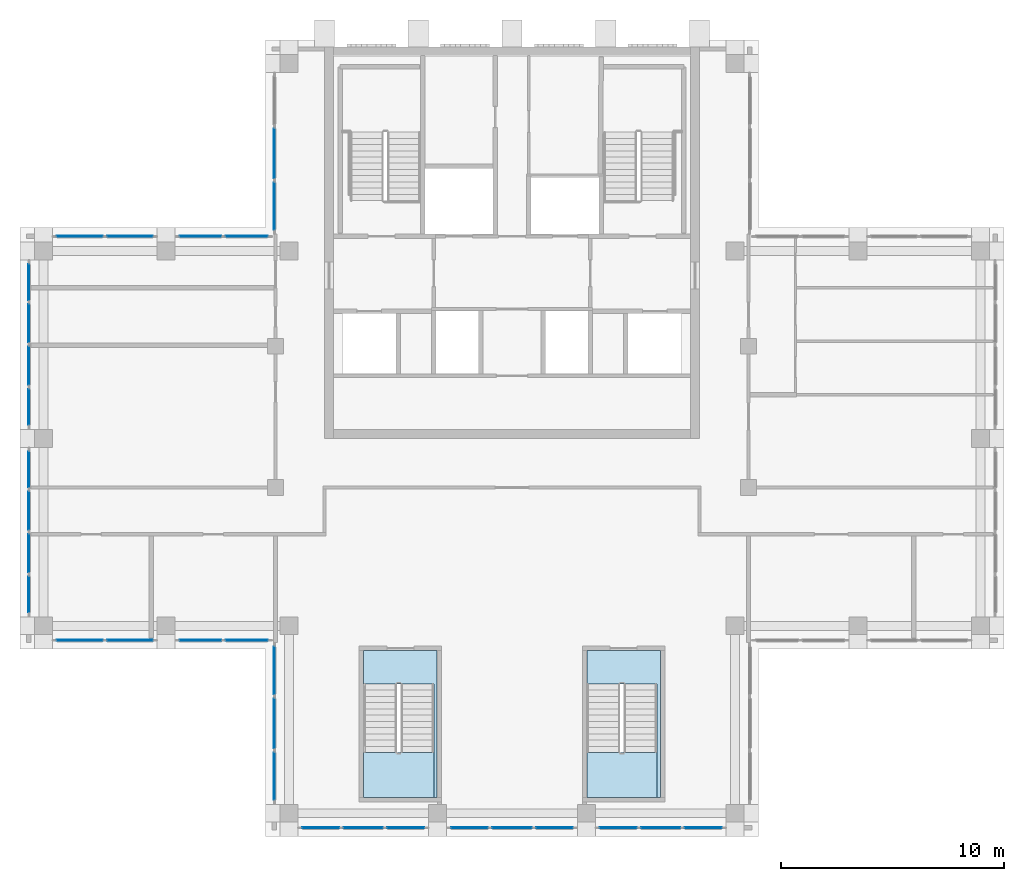
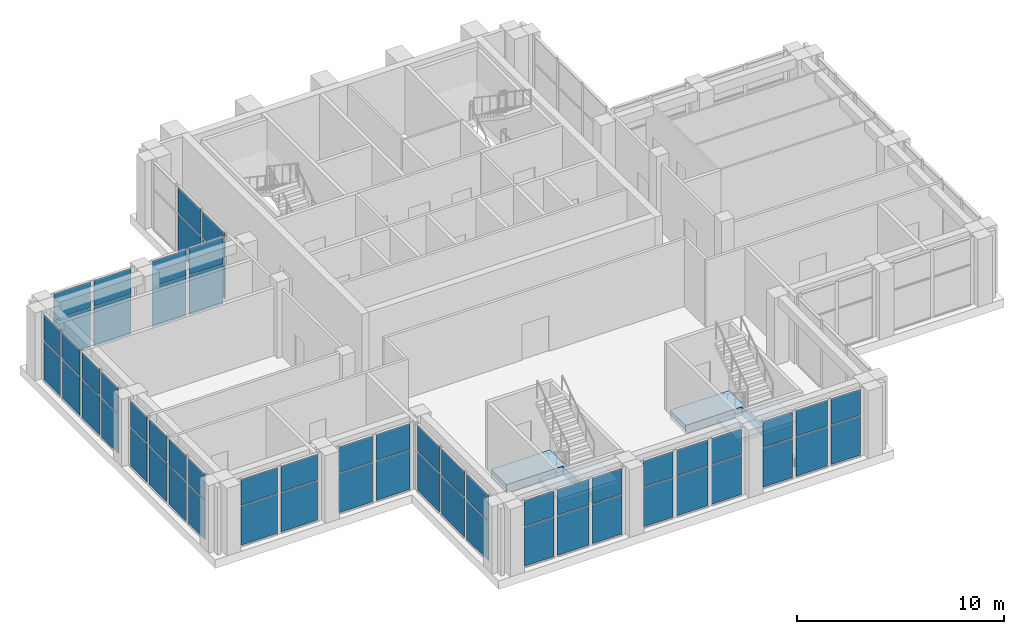
# One storey, part 7 of 14: 60 plates, 4 slabs, 13 elements without a shape of their own.
"""IFC4 building model written with IfcOpenShell, lengths in metres."""

from ifc_helpers import new_model, si_unit, direction, frame, origin, origin_2d, place, context, subcontext, project, spatial, polyline, rectangle, outline, extrude, material, layer, layer_set, type_object, element, aggregate, save


model = new_model("IFC4")

# Units and contexts
model_context = context("Model", 3, precision=1e-05, world=origin(), true_north=direction((0.0, 1.0)))
body_context = subcontext(model_context, "Body", "Model", "MODEL_VIEW")
ifc_project = project(units=[si_unit("LENGTHUNIT", "METRE"), si_unit("AREAUNIT", "SQUARE_METRE"), si_unit("VOLUMEUNIT", "CUBIC_METRE"), si_unit("PLANEANGLEUNIT", "RADIAN"), si_unit("MASSUNIT", "GRAM", prefix="KILO")], contexts=[model_context])

# Site, building, storey
site_placement = place(None, origin())
site = spatial("IfcSite", under=ifc_project, at=site_placement, CompositionType="ELEMENT")
building_placement = place(site_placement, origin())
building = spatial("IfcBuilding", under=site, at=building_placement, Name="Vermilion Ogive Tower", CompositionType="ELEMENT")
storey_placement = place(building_placement, frame((0.0, 0.0, 273.85009765625)))
storey = spatial("IfcBuildingStorey", under=building, at=storey_placement, Name="L72", CompositionType="ELEMENT", Elevation=273.85009765625)

# Curtain wall, plates
ifc_material_1 = material(Name="Laminated solar-control glazing in aluminium frame", Category="aluminium")
curtain_wall_type = type_object("IfcCurtainWallType", Name="Curtain wall CW4", PredefinedType="NOTDEFINED", material=ifc_material_1)
curtain_wall_1_placement = place(storey_placement, origin())
curtain_wall_1 = element("IfcCurtainWall", 1, at=curtain_wall_1_placement, inside=storey, type_object=curtain_wall_type, Name="CW4 glazing S1", PredefinedType="NOTDEFINED")
ifc_material_2 = material(Name="Laminated solar-control glazing in aluminium frame", Category="aluminium")
ifc_layer_1 = layer(ifc_material_2, 0.0400390625)
ifc_layer_set_1 = layer_set([ifc_layer_1], Name="CW4 glazing panel 40")
plate_type = type_object("IfcPlateType", Name="CW4 glazing panel 40", PredefinedType="CURTAIN_PANEL", material=ifc_layer_set_1)
plate_1_placement = place(storey_placement, frame((-8.572265625, -13.25, 0.059814453125), z_axis=(0.0, 0.0, 1.0), x_axis=(1.0, 0.0, 0.0)))
plate_1 = element("IfcPlate", 2, at=plate_1_placement, type_object=plate_type, Name="CW4-S1 panel 1.1", PredefinedType="CURTAIN_PANEL", context=body_context, shape_type="SweptSolid", body=[
    extrude(rectangle(XDim=1.655517578125, YDim=0.0400390625, at=origin_2d()), origin(), (0.0, 0.0, 1.0), 2.31005859375),
])
plate_2_placement = place(storey_placement, frame((-8.572265625, -13.25, 2.4296875), z_axis=(0.0, 0.0, 1.0), x_axis=(1.0, 0.0, 0.0)))
plate_2 = element("IfcPlate", 3, at=plate_2_placement, type_object=plate_type, Name="CW4-S1 panel 1.2", PredefinedType="CURTAIN_PANEL", context=body_context, shape_type="SweptSolid", body=[
    extrude(rectangle(XDim=1.655517578125, YDim=0.0400390625, at=origin_2d()), origin(), (0.0, 0.0, 1.0), 1.510009765625),
])
plate_3_placement = place(storey_placement, frame((-6.666748046875, -13.25, 0.059814453125), z_axis=(0.0, 0.0, 1.0), x_axis=(1.0, 0.0, 0.0)))
plate_3 = element("IfcPlate", 4, at=plate_3_placement, type_object=plate_type, Name="CW4-S1 panel 2.1", PredefinedType="CURTAIN_PANEL", context=body_context, shape_type="SweptSolid", body=[
    extrude(rectangle(XDim=1.755615234375, YDim=0.0400390625, at=origin_2d()), origin(), (0.0, 0.0, 1.0), 2.31005859375),
])
plate_4_placement = place(storey_placement, frame((-6.666748046875, -13.25, 2.4296875), z_axis=(0.0, 0.0, 1.0), x_axis=(1.0, 0.0, 0.0)))
plate_4 = element("IfcPlate", 5, at=plate_4_placement, type_object=plate_type, Name="CW4-S1 panel 2.2", PredefinedType="CURTAIN_PANEL", context=body_context, shape_type="SweptSolid", body=[
    extrude(rectangle(XDim=1.755615234375, YDim=0.0400390625, at=origin_2d()), origin(), (0.0, 0.0, 1.0), 1.510009765625),
])
plate_5_placement = place(storey_placement, frame((-4.76123046875, -13.25, 0.059814453125), z_axis=(0.0, 0.0, 1.0), x_axis=(1.0, 0.0, 0.0)))
plate_5 = element("IfcPlate", 6, at=plate_5_placement, type_object=plate_type, Name="CW4-S1 panel 3.1", PredefinedType="CURTAIN_PANEL", context=body_context, shape_type="SweptSolid", body=[
    extrude(rectangle(XDim=1.655517578125, YDim=0.0400390625, at=origin_2d()), origin(), (0.0, 0.0, 1.0), 2.31005859375),
])
plate_6_placement = place(storey_placement, frame((-4.76123046875, -13.25, 2.4296875), z_axis=(0.0, 0.0, 1.0), x_axis=(1.0, 0.0, 0.0)))
plate_6 = element("IfcPlate", 7, at=plate_6_placement, type_object=plate_type, Name="CW4-S1 panel 3.2", PredefinedType="CURTAIN_PANEL", context=body_context, shape_type="SweptSolid", body=[
    extrude(rectangle(XDim=1.655517578125, YDim=0.0400390625, at=origin_2d()), origin(), (0.0, 0.0, 1.0), 1.510009765625),
])
aggregate(curtain_wall_1, [plate_1, plate_2, plate_3, plate_4, plate_5, plate_6])

curtain_wall_2_placement = place(storey_placement, origin())
curtain_wall_2 = element("IfcCurtainWall", 8, at=curtain_wall_2_placement, inside=storey, type_object=curtain_wall_type, Name="CW4 glazing S2", PredefinedType="NOTDEFINED")
plate_7_placement = place(storey_placement, frame((-1.905517578125, -13.25, 0.059814453125), z_axis=(0.0, 0.0, 1.0), x_axis=(1.0, 0.0, 0.0)))
plate_7 = element("IfcPlate", 9, at=plate_7_placement, type_object=plate_type, Name="CW4-S2 panel 1.1", PredefinedType="CURTAIN_PANEL", context=body_context, shape_type="SweptSolid", body=[
    extrude(rectangle(XDim=1.655517578125, YDim=0.0400390625, at=origin_2d()), origin(), (0.0, 0.0, 1.0), 2.31005859375),
])
plate_8_placement = place(storey_placement, frame((-1.905517578125, -13.25, 2.4296875), z_axis=(0.0, 0.0, 1.0), x_axis=(1.0, 0.0, 0.0)))
plate_8 = element("IfcPlate", 10, at=plate_8_placement, type_object=plate_type, Name="CW4-S2 panel 1.2", PredefinedType="CURTAIN_PANEL", context=body_context, shape_type="SweptSolid", body=[
    extrude(rectangle(XDim=1.655517578125, YDim=0.0400390625, at=origin_2d()), origin(), (0.0, 0.0, 1.0), 1.510009765625),
])
plate_9_placement = place(storey_placement, frame((0.0, -13.25, 0.059814453125), z_axis=(0.0, 0.0, 1.0), x_axis=(1.0, 0.0, 0.0)))
plate_9 = element("IfcPlate", 11, at=plate_9_placement, type_object=plate_type, Name="CW4-S2 panel 2.1", PredefinedType="CURTAIN_PANEL", context=body_context, shape_type="SweptSolid", body=[
    extrude(rectangle(XDim=1.755615234375, YDim=0.0400390625, at=origin_2d()), origin(), (0.0, 0.0, 1.0), 2.31005859375),
])
plate_10_placement = place(storey_placement, frame((0.0, -13.25, 2.4296875), z_axis=(0.0, 0.0, 1.0), x_axis=(1.0, 0.0, 0.0)))
plate_10 = element("IfcPlate", 12, at=plate_10_placement, type_object=plate_type, Name="CW4-S2 panel 2.2", PredefinedType="CURTAIN_PANEL", context=body_context, shape_type="SweptSolid", body=[
    extrude(rectangle(XDim=1.755615234375, YDim=0.0400390625, at=origin_2d()), origin(), (0.0, 0.0, 1.0), 1.510009765625),
])
plate_11_placement = place(storey_placement, frame((1.905517578125, -13.25, 0.059814453125), z_axis=(0.0, 0.0, 1.0), x_axis=(1.0, 0.0, 0.0)))
plate_11 = element("IfcPlate", 13, at=plate_11_placement, type_object=plate_type, Name="CW4-S2 panel 3.1", PredefinedType="CURTAIN_PANEL", context=body_context, shape_type="SweptSolid", body=[
    extrude(rectangle(XDim=1.655517578125, YDim=0.0400390625, at=origin_2d()), origin(), (0.0, 0.0, 1.0), 2.31005859375),
])
plate_12_placement = place(storey_placement, frame((1.905517578125, -13.25, 2.4296875), z_axis=(0.0, 0.0, 1.0), x_axis=(1.0, 0.0, 0.0)))
plate_12 = element("IfcPlate", 14, at=plate_12_placement, type_object=plate_type, Name="CW4-S2 panel 3.2", PredefinedType="CURTAIN_PANEL", context=body_context, shape_type="SweptSolid", body=[
    extrude(rectangle(XDim=1.655517578125, YDim=0.0400390625, at=origin_2d()), origin(), (0.0, 0.0, 1.0), 1.510009765625),
])
aggregate(curtain_wall_2, [plate_7, plate_8, plate_9, plate_10, plate_11, plate_12])

curtain_wall_3_placement = place(storey_placement, origin())
curtain_wall_3 = element("IfcCurtainWall", 15, at=curtain_wall_3_placement, inside=storey, type_object=curtain_wall_type, Name="CW4 glazing S3", PredefinedType="NOTDEFINED")
plate_13_placement = place(storey_placement, frame((4.76123046875, -13.25, 0.059814453125), z_axis=(0.0, 0.0, 1.0), x_axis=(1.0, 0.0, 0.0)))
plate_13 = element("IfcPlate", 16, at=plate_13_placement, type_object=plate_type, Name="CW4-S3 panel 1.1", PredefinedType="CURTAIN_PANEL", context=body_context, shape_type="SweptSolid", body=[
    extrude(rectangle(XDim=1.655517578125, YDim=0.0400390625, at=origin_2d()), origin(), (0.0, 0.0, 1.0), 2.31005859375),
])
plate_14_placement = place(storey_placement, frame((4.76123046875, -13.25, 2.4296875), z_axis=(0.0, 0.0, 1.0), x_axis=(1.0, 0.0, 0.0)))
plate_14 = element("IfcPlate", 17, at=plate_14_placement, type_object=plate_type, Name="CW4-S3 panel 1.2", PredefinedType="CURTAIN_PANEL", context=body_context, shape_type="SweptSolid", body=[
    extrude(rectangle(XDim=1.655517578125, YDim=0.0400390625, at=origin_2d()), origin(), (0.0, 0.0, 1.0), 1.510009765625),
])
plate_15_placement = place(storey_placement, frame((6.666748046875, -13.25, 0.059814453125), z_axis=(0.0, 0.0, 1.0), x_axis=(1.0, 0.0, 0.0)))
plate_15 = element("IfcPlate", 18, at=plate_15_placement, type_object=plate_type, Name="CW4-S3 panel 2.1", PredefinedType="CURTAIN_PANEL", context=body_context, shape_type="SweptSolid", body=[
    extrude(rectangle(XDim=1.755615234375, YDim=0.0400390625, at=origin_2d()), origin(), (0.0, 0.0, 1.0), 2.31005859375),
])
plate_16_placement = place(storey_placement, frame((6.666748046875, -13.25, 2.4296875), z_axis=(0.0, 0.0, 1.0), x_axis=(1.0, 0.0, 0.0)))
plate_16 = element("IfcPlate", 19, at=plate_16_placement, type_object=plate_type, Name="CW4-S3 panel 2.2", PredefinedType="CURTAIN_PANEL", context=body_context, shape_type="SweptSolid", body=[
    extrude(rectangle(XDim=1.755615234375, YDim=0.0400390625, at=origin_2d()), origin(), (0.0, 0.0, 1.0), 1.510009765625),
])
plate_17_placement = place(storey_placement, frame((8.572265625, -13.25, 0.059814453125), z_axis=(0.0, 0.0, 1.0), x_axis=(1.0, 0.0, 0.0)))
plate_17 = element("IfcPlate", 20, at=plate_17_placement, type_object=plate_type, Name="CW4-S3 panel 3.1", PredefinedType="CURTAIN_PANEL", context=body_context, shape_type="SweptSolid", body=[
    extrude(rectangle(XDim=1.655517578125, YDim=0.0400390625, at=origin_2d()), origin(), (0.0, 0.0, 1.0), 2.31005859375),
])
plate_18_placement = place(storey_placement, frame((8.572265625, -13.25, 2.4296875), z_axis=(0.0, 0.0, 1.0), x_axis=(1.0, 0.0, 0.0)))
plate_18 = element("IfcPlate", 21, at=plate_18_placement, type_object=plate_type, Name="CW4-S3 panel 3.2", PredefinedType="CURTAIN_PANEL", context=body_context, shape_type="SweptSolid", body=[
    extrude(rectangle(XDim=1.655517578125, YDim=0.0400390625, at=origin_2d()), origin(), (0.0, 0.0, 1.0), 1.510009765625),
])
aggregate(curtain_wall_3, [plate_13, plate_14, plate_15, plate_16, plate_17, plate_18])

curtain_wall_4_placement = place(storey_placement, origin())
curtain_wall_4 = element("IfcCurtainWall", 22, at=curtain_wall_4_placement, inside=storey, type_object=curtain_wall_type, Name="CW4 glazing X51", PredefinedType="NOTDEFINED")
plate_19_placement = place(storey_placement, frame((-10.64990234375, 16.97509765625, 0.059814453125), z_axis=(0.0, 0.0, 1.0), x_axis=(0.0, -1.0, 0.0)))
plate_19 = element("IfcPlate", 23, at=plate_19_placement, type_object=plate_type, Name="CW4-X51 panel 2.1", PredefinedType="CURTAIN_PANEL", context=body_context, shape_type="SweptSolid", body=[
    extrude(rectangle(XDim=2.216552734375, YDim=0.0400390625, at=origin_2d()), origin(), (0.0, 0.0, 1.0), 2.31005859375),
])
plate_20_placement = place(storey_placement, frame((-10.64990234375, 16.97509765625, 2.4296875), z_axis=(0.0, 0.0, 1.0), x_axis=(0.0, -1.0, 0.0)))
plate_20 = element("IfcPlate", 24, at=plate_20_placement, type_object=plate_type, Name="CW4-X51 panel 2.2", PredefinedType="CURTAIN_PANEL", context=body_context, shape_type="SweptSolid", body=[
    extrude(rectangle(XDim=2.216552734375, YDim=0.0400390625, at=origin_2d()), origin(), (0.0, 0.0, 1.0), 1.510009765625),
])
plate_21_placement = place(storey_placement, frame((-10.64990234375, 14.6083984375, 0.059814453125), z_axis=(0.0, 0.0, 1.0), x_axis=(0.0, -1.0, 0.0)))
plate_21 = element("IfcPlate", 25, at=plate_21_placement, type_object=plate_type, Name="CW4-X51 panel 3.1", PredefinedType="CURTAIN_PANEL", context=body_context, shape_type="SweptSolid", body=[
    extrude(rectangle(XDim=2.11669921875, YDim=0.0400390625, at=origin_2d()), origin(), (0.0, 0.0, 1.0), 2.31005859375),
])
plate_22_placement = place(storey_placement, frame((-10.64990234375, 14.6083984375, 2.4296875), z_axis=(0.0, 0.0, 1.0), x_axis=(0.0, -1.0, 0.0)))
plate_22 = element("IfcPlate", 26, at=plate_22_placement, type_object=plate_type, Name="CW4-X51 panel 3.2", PredefinedType="CURTAIN_PANEL", context=body_context, shape_type="SweptSolid", body=[
    extrude(rectangle(XDim=2.11669921875, YDim=0.0400390625, at=origin_2d()), origin(), (0.0, 0.0, 1.0), 1.510009765625),
])
aggregate(curtain_wall_4, [plate_19, plate_20, plate_21, plate_22])

curtain_wall_5_placement = place(storey_placement, origin())
curtain_wall_5 = element("IfcCurtainWall", 27, at=curtain_wall_5_placement, inside=storey, type_object=curtain_wall_type, Name="CW4 glazing X61", PredefinedType="NOTDEFINED")
plate_23_placement = place(storey_placement, frame((-11.887451171875, 13.25, 0.059814453125), z_axis=(0.0, 0.0, 1.0), x_axis=(-1.0, 0.0, 0.0)))
plate_23 = element("IfcPlate", 28, at=plate_23_placement, type_object=plate_type, Name="CW4-X61 panel 1.1", PredefinedType="CURTAIN_PANEL", context=body_context, shape_type="SweptSolid", body=[
    extrude(rectangle(XDim=1.875, YDim=0.0400390625, at=origin_2d()), origin(), (0.0, 0.0, 1.0), 2.31005859375),
])
plate_24_placement = place(storey_placement, frame((-11.887451171875, 13.25, 2.4296875), z_axis=(0.0, 0.0, 1.0), x_axis=(-1.0, 0.0, 0.0)))
plate_24 = element("IfcPlate", 29, at=plate_24_placement, type_object=plate_type, Name="CW4-X61 panel 1.2", PredefinedType="CURTAIN_PANEL", context=body_context, shape_type="SweptSolid", body=[
    extrude(rectangle(XDim=1.875, YDim=0.0400390625, at=origin_2d()), origin(), (0.0, 0.0, 1.0), 1.510009765625),
])
plate_25_placement = place(storey_placement, frame((-13.96240234375, 13.25, 0.059814453125), z_axis=(0.0, 0.0, 1.0), x_axis=(-1.0, 0.0, 0.0)))
plate_25 = element("IfcPlate", 30, at=plate_25_placement, type_object=plate_type, Name="CW4-X61 panel 2.1", PredefinedType="CURTAIN_PANEL", context=body_context, shape_type="SweptSolid", body=[
    extrude(rectangle(XDim=1.875, YDim=0.0400390625, at=origin_2d()), origin(), (0.0, 0.0, 1.0), 2.31005859375),
])
plate_26_placement = place(storey_placement, frame((-13.96240234375, 13.25, 2.4296875), z_axis=(0.0, 0.0, 1.0), x_axis=(-1.0, 0.0, 0.0)))
plate_26 = element("IfcPlate", 31, at=plate_26_placement, type_object=plate_type, Name="CW4-X61 panel 2.2", PredefinedType="CURTAIN_PANEL", context=body_context, shape_type="SweptSolid", body=[
    extrude(rectangle(XDim=1.875, YDim=0.0400390625, at=origin_2d()), origin(), (0.0, 0.0, 1.0), 1.510009765625),
])
aggregate(curtain_wall_5, [plate_23, plate_24, plate_25, plate_26])

curtain_wall_6_placement = place(storey_placement, origin())
curtain_wall_6 = element("IfcCurtainWall", 32, at=curtain_wall_6_placement, inside=storey, type_object=curtain_wall_type, Name="CW4 glazing X62", PredefinedType="NOTDEFINED")
plate_27_placement = place(storey_placement, frame((-17.125, 13.25, 0.059814453125), z_axis=(0.0, 0.0, 1.0), x_axis=(-1.0, 0.0, 0.0)))
plate_27 = element("IfcPlate", 33, at=plate_27_placement, type_object=plate_type, Name="CW4-X62 panel 1.1", PredefinedType="CURTAIN_PANEL", context=body_context, shape_type="SweptSolid", body=[
    extrude(rectangle(XDim=2.050048828125, YDim=0.0400390625, at=origin_2d()), origin(), (0.0, 0.0, 1.0), 2.31005859375),
])
plate_28_placement = place(storey_placement, frame((-17.125, 13.25, 2.4296875), z_axis=(0.0, 0.0, 1.0), x_axis=(-1.0, 0.0, 0.0)))
plate_28 = element("IfcPlate", 34, at=plate_28_placement, type_object=plate_type, Name="CW4-X62 panel 1.2", PredefinedType="CURTAIN_PANEL", context=body_context, shape_type="SweptSolid", body=[
    extrude(rectangle(XDim=2.050048828125, YDim=0.0400390625, at=origin_2d()), origin(), (0.0, 0.0, 1.0), 1.510009765625),
])
plate_29_placement = place(storey_placement, frame((-19.375, 13.25, 0.059814453125), z_axis=(0.0, 0.0, 1.0), x_axis=(-1.0, 0.0, 0.0)))
plate_29 = element("IfcPlate", 35, at=plate_29_placement, type_object=plate_type, Name="CW4-X62 panel 2.1", PredefinedType="CURTAIN_PANEL", context=body_context, shape_type="SweptSolid", body=[
    extrude(rectangle(XDim=2.050048828125, YDim=0.0400390625, at=origin_2d()), origin(), (0.0, 0.0, 1.0), 2.31005859375),
])
plate_30_placement = place(storey_placement, frame((-19.375, 13.25, 2.4296875), z_axis=(0.0, 0.0, 1.0), x_axis=(-1.0, 0.0, 0.0)))
plate_30 = element("IfcPlate", 36, at=plate_30_placement, type_object=plate_type, Name="CW4-X62 panel 2.2", PredefinedType="CURTAIN_PANEL", context=body_context, shape_type="SweptSolid", body=[
    extrude(rectangle(XDim=2.050048828125, YDim=0.0400390625, at=origin_2d()), origin(), (0.0, 0.0, 1.0), 1.510009765625),
])
aggregate(curtain_wall_6, [plate_27, plate_28, plate_29, plate_30])

curtain_wall_7_placement = place(storey_placement, origin())
curtain_wall_7 = element("IfcCurtainWall", 37, at=curtain_wall_7_placement, inside=storey, type_object=curtain_wall_type, Name="CW4 glazing W1", PredefinedType="NOTDEFINED")
plate_31_placement = place(storey_placement, frame((-21.64990234375, 11.199951171875, 0.059814453125), z_axis=(0.0, 0.0, 1.0), x_axis=(0.0, -1.0, 0.0)))
plate_31 = element("IfcPlate", 38, at=plate_31_placement, type_object=plate_type, Name="CW4-W1 panel 1.1", PredefinedType="CURTAIN_PANEL", context=body_context, shape_type="SweptSolid", body=[
    extrude(rectangle(XDim=1.60009765625, YDim=0.0400390625, at=origin_2d()), origin(), (0.0, 0.0, 1.0), 2.31005859375),
])
plate_32_placement = place(storey_placement, frame((-21.64990234375, 11.199951171875, 2.4296875), z_axis=(0.0, 0.0, 1.0), x_axis=(0.0, -1.0, 0.0)))
plate_32 = element("IfcPlate", 39, at=plate_32_placement, type_object=plate_type, Name="CW4-W1 panel 1.2", PredefinedType="CURTAIN_PANEL", context=body_context, shape_type="SweptSolid", body=[
    extrude(rectangle(XDim=1.60009765625, YDim=0.0400390625, at=origin_2d()), origin(), (0.0, 0.0, 1.0), 1.510009765625),
])
plate_33_placement = place(storey_placement, frame((-21.64990234375, 9.35009765625, 0.059814453125), z_axis=(0.0, 0.0, 1.0), x_axis=(0.0, -1.0, 0.0)))
plate_33 = element("IfcPlate", 40, at=plate_33_placement, type_object=plate_type, Name="CW4-W1 panel 2.1", PredefinedType="CURTAIN_PANEL", context=body_context, shape_type="SweptSolid", body=[
    extrude(rectangle(XDim=1.699951171875, YDim=0.0400390625, at=origin_2d()), origin(), (0.0, 0.0, 1.0), 2.31005859375),
])
plate_34_placement = place(storey_placement, frame((-21.64990234375, 9.35009765625, 2.4296875), z_axis=(0.0, 0.0, 1.0), x_axis=(0.0, -1.0, 0.0)))
plate_34 = element("IfcPlate", 41, at=plate_34_placement, type_object=plate_type, Name="CW4-W1 panel 2.2", PredefinedType="CURTAIN_PANEL", context=body_context, shape_type="SweptSolid", body=[
    extrude(rectangle(XDim=1.699951171875, YDim=0.0400390625, at=origin_2d()), origin(), (0.0, 0.0, 1.0), 1.510009765625),
])
plate_35_placement = place(storey_placement, frame((-21.64990234375, 7.449951171875, 0.059814453125), z_axis=(0.0, 0.0, 1.0), x_axis=(0.0, -1.0, 0.0)))
plate_35 = element("IfcPlate", 42, at=plate_35_placement, type_object=plate_type, Name="CW4-W1 panel 3.1", PredefinedType="CURTAIN_PANEL", context=body_context, shape_type="SweptSolid", body=[
    extrude(rectangle(XDim=1.699951171875, YDim=0.0400390625, at=origin_2d()), origin(), (0.0, 0.0, 1.0), 2.31005859375),
])
plate_36_placement = place(storey_placement, frame((-21.64990234375, 7.449951171875, 2.4296875), z_axis=(0.0, 0.0, 1.0), x_axis=(0.0, -1.0, 0.0)))
plate_36 = element("IfcPlate", 43, at=plate_36_placement, type_object=plate_type, Name="CW4-W1 panel 3.2", PredefinedType="CURTAIN_PANEL", context=body_context, shape_type="SweptSolid", body=[
    extrude(rectangle(XDim=1.699951171875, YDim=0.0400390625, at=origin_2d()), origin(), (0.0, 0.0, 1.0), 1.510009765625),
])
plate_37_placement = place(storey_placement, frame((-21.64990234375, 5.60009765625, 0.059814453125), z_axis=(0.0, 0.0, 1.0), x_axis=(0.0, -1.0, 0.0)))
plate_37 = element("IfcPlate", 44, at=plate_37_placement, type_object=plate_type, Name="CW4-W1 panel 4.1", PredefinedType="CURTAIN_PANEL", context=body_context, shape_type="SweptSolid", body=[
    extrude(rectangle(XDim=1.60009765625, YDim=0.0400390625, at=origin_2d()), origin(), (0.0, 0.0, 1.0), 2.31005859375),
])
plate_38_placement = place(storey_placement, frame((-21.64990234375, 5.60009765625, 2.4296875), z_axis=(0.0, 0.0, 1.0), x_axis=(0.0, -1.0, 0.0)))
plate_38 = element("IfcPlate", 45, at=plate_38_placement, type_object=plate_type, Name="CW4-W1 panel 4.2", PredefinedType="CURTAIN_PANEL", context=body_context, shape_type="SweptSolid", body=[
    extrude(rectangle(XDim=1.60009765625, YDim=0.0400390625, at=origin_2d()), origin(), (0.0, 0.0, 1.0), 1.510009765625),
])
aggregate(curtain_wall_7, [plate_31, plate_32, plate_33, plate_34, plate_35, plate_36, plate_37, plate_38])

curtain_wall_8_placement = place(storey_placement, origin())
curtain_wall_8 = element("IfcCurtainWall", 46, at=curtain_wall_8_placement, inside=storey, type_object=curtain_wall_type, Name="CW4 glazing W2", PredefinedType="NOTDEFINED")
plate_39_placement = place(storey_placement, frame((-21.64990234375, 2.800048828125, 0.059814453125), z_axis=(0.0, 0.0, 1.0), x_axis=(0.0, -1.0, 0.0)))
plate_39 = element("IfcPlate", 47, at=plate_39_placement, type_object=plate_type, Name="CW4-W2 panel 1.1", PredefinedType="CURTAIN_PANEL", context=body_context, shape_type="SweptSolid", body=[
    extrude(rectangle(XDim=1.60009765625, YDim=0.0400390625, at=origin_2d()), origin(), (0.0, 0.0, 1.0), 2.31005859375),
])
plate_40_placement = place(storey_placement, frame((-21.64990234375, 2.800048828125, 2.4296875), z_axis=(0.0, 0.0, 1.0), x_axis=(0.0, -1.0, 0.0)))
plate_40 = element("IfcPlate", 48, at=plate_40_placement, type_object=plate_type, Name="CW4-W2 panel 1.2", PredefinedType="CURTAIN_PANEL", context=body_context, shape_type="SweptSolid", body=[
    extrude(rectangle(XDim=1.60009765625, YDim=0.0400390625, at=origin_2d()), origin(), (0.0, 0.0, 1.0), 1.510009765625),
])
plate_41_placement = place(storey_placement, frame((-21.64990234375, 0.949951171875, 0.059814453125), z_axis=(0.0, 0.0, 1.0), x_axis=(0.0, -1.0, 0.0)))
plate_41 = element("IfcPlate", 49, at=plate_41_placement, type_object=plate_type, Name="CW4-W2 panel 2.1", PredefinedType="CURTAIN_PANEL", context=body_context, shape_type="SweptSolid", body=[
    extrude(rectangle(XDim=1.699951171875, YDim=0.0400390625, at=origin_2d()), origin(), (0.0, 0.0, 1.0), 2.31005859375),
])
plate_42_placement = place(storey_placement, frame((-21.64990234375, 0.949951171875, 2.4296875), z_axis=(0.0, 0.0, 1.0), x_axis=(0.0, -1.0, 0.0)))
plate_42 = element("IfcPlate", 50, at=plate_42_placement, type_object=plate_type, Name="CW4-W2 panel 2.2", PredefinedType="CURTAIN_PANEL", context=body_context, shape_type="SweptSolid", body=[
    extrude(rectangle(XDim=1.699951171875, YDim=0.0400390625, at=origin_2d()), origin(), (0.0, 0.0, 1.0), 1.510009765625),
])
plate_43_placement = place(storey_placement, frame((-21.64990234375, -0.949951171875, 0.059814453125), z_axis=(0.0, 0.0, 1.0), x_axis=(0.0, -1.0, 0.0)))
plate_43 = element("IfcPlate", 51, at=plate_43_placement, type_object=plate_type, Name="CW4-W2 panel 3.1", PredefinedType="CURTAIN_PANEL", context=body_context, shape_type="SweptSolid", body=[
    extrude(rectangle(XDim=1.699951171875, YDim=0.0400390625, at=origin_2d()), origin(), (0.0, 0.0, 1.0), 2.31005859375),
])
plate_44_placement = place(storey_placement, frame((-21.64990234375, -0.949951171875, 2.4296875), z_axis=(0.0, 0.0, 1.0), x_axis=(0.0, -1.0, 0.0)))
plate_44 = element("IfcPlate", 52, at=plate_44_placement, type_object=plate_type, Name="CW4-W2 panel 3.2", PredefinedType="CURTAIN_PANEL", context=body_context, shape_type="SweptSolid", body=[
    extrude(rectangle(XDim=1.699951171875, YDim=0.0400390625, at=origin_2d()), origin(), (0.0, 0.0, 1.0), 1.510009765625),
])
plate_45_placement = place(storey_placement, frame((-21.64990234375, -2.800048828125, 0.059814453125), z_axis=(0.0, 0.0, 1.0), x_axis=(0.0, -1.0, 0.0)))
plate_45 = element("IfcPlate", 53, at=plate_45_placement, type_object=plate_type, Name="CW4-W2 panel 4.1", PredefinedType="CURTAIN_PANEL", context=body_context, shape_type="SweptSolid", body=[
    extrude(rectangle(XDim=1.60009765625, YDim=0.0400390625, at=origin_2d()), origin(), (0.0, 0.0, 1.0), 2.31005859375),
])
plate_46_placement = place(storey_placement, frame((-21.64990234375, -2.800048828125, 2.4296875), z_axis=(0.0, 0.0, 1.0), x_axis=(0.0, -1.0, 0.0)))
plate_46 = element("IfcPlate", 54, at=plate_46_placement, type_object=plate_type, Name="CW4-W2 panel 4.2", PredefinedType="CURTAIN_PANEL", context=body_context, shape_type="SweptSolid", body=[
    extrude(rectangle(XDim=1.60009765625, YDim=0.0400390625, at=origin_2d()), origin(), (0.0, 0.0, 1.0), 1.510009765625),
])
aggregate(curtain_wall_8, [plate_39, plate_40, plate_41, plate_42, plate_43, plate_44, plate_45, plate_46])

curtain_wall_9_placement = place(storey_placement, origin())
curtain_wall_9 = element("IfcCurtainWall", 55, at=curtain_wall_9_placement, inside=storey, type_object=curtain_wall_type, Name="CW4 glazing X71", PredefinedType="NOTDEFINED")
plate_47_placement = place(storey_placement, frame((-19.375, -4.85009765625, 0.059814453125), z_axis=(0.0, 0.0, 1.0), x_axis=(1.0, 0.0, 0.0)))
plate_47 = element("IfcPlate", 56, at=plate_47_placement, type_object=plate_type, Name="CW4-X71 panel 1.1", PredefinedType="CURTAIN_PANEL", context=body_context, shape_type="SweptSolid", body=[
    extrude(rectangle(XDim=2.050048828125, YDim=0.0400390625, at=origin_2d()), origin(), (0.0, 0.0, 1.0), 2.31005859375),
])
plate_48_placement = place(storey_placement, frame((-19.375, -4.85009765625, 2.4296875), z_axis=(0.0, 0.0, 1.0), x_axis=(1.0, 0.0, 0.0)))
plate_48 = element("IfcPlate", 57, at=plate_48_placement, type_object=plate_type, Name="CW4-X71 panel 1.2", PredefinedType="CURTAIN_PANEL", context=body_context, shape_type="SweptSolid", body=[
    extrude(rectangle(XDim=2.050048828125, YDim=0.0400390625, at=origin_2d()), origin(), (0.0, 0.0, 1.0), 1.510009765625),
])
plate_49_placement = place(storey_placement, frame((-17.125, -4.85009765625, 0.059814453125), z_axis=(0.0, 0.0, 1.0), x_axis=(1.0, 0.0, 0.0)))
plate_49 = element("IfcPlate", 58, at=plate_49_placement, type_object=plate_type, Name="CW4-X71 panel 2.1", PredefinedType="CURTAIN_PANEL", context=body_context, shape_type="SweptSolid", body=[
    extrude(rectangle(XDim=2.050048828125, YDim=0.0400390625, at=origin_2d()), origin(), (0.0, 0.0, 1.0), 2.31005859375),
])
plate_50_placement = place(storey_placement, frame((-17.125, -4.85009765625, 2.4296875), z_axis=(0.0, 0.0, 1.0), x_axis=(1.0, 0.0, 0.0)))
plate_50 = element("IfcPlate", 59, at=plate_50_placement, type_object=plate_type, Name="CW4-X71 panel 2.2", PredefinedType="CURTAIN_PANEL", context=body_context, shape_type="SweptSolid", body=[
    extrude(rectangle(XDim=2.050048828125, YDim=0.0400390625, at=origin_2d()), origin(), (0.0, 0.0, 1.0), 1.510009765625),
])
aggregate(curtain_wall_9, [plate_47, plate_48, plate_49, plate_50])

curtain_wall_10_placement = place(storey_placement, origin())
curtain_wall_10 = element("IfcCurtainWall", 60, at=curtain_wall_10_placement, inside=storey, type_object=curtain_wall_type, Name="CW4 glazing X72", PredefinedType="NOTDEFINED")
plate_51_placement = place(storey_placement, frame((-13.96240234375, -4.85009765625, 0.059814453125), z_axis=(0.0, 0.0, 1.0), x_axis=(1.0, 0.0, 0.0)))
plate_51 = element("IfcPlate", 61, at=plate_51_placement, type_object=plate_type, Name="CW4-X72 panel 1.1", PredefinedType="CURTAIN_PANEL", context=body_context, shape_type="SweptSolid", body=[
    extrude(rectangle(XDim=1.875, YDim=0.0400390625, at=origin_2d()), origin(), (0.0, 0.0, 1.0), 2.31005859375),
])
plate_52_placement = place(storey_placement, frame((-13.96240234375, -4.85009765625, 2.4296875), z_axis=(0.0, 0.0, 1.0), x_axis=(1.0, 0.0, 0.0)))
plate_52 = element("IfcPlate", 62, at=plate_52_placement, type_object=plate_type, Name="CW4-X72 panel 1.2", PredefinedType="CURTAIN_PANEL", context=body_context, shape_type="SweptSolid", body=[
    extrude(rectangle(XDim=1.875, YDim=0.0400390625, at=origin_2d()), origin(), (0.0, 0.0, 1.0), 1.510009765625),
])
plate_53_placement = place(storey_placement, frame((-11.887451171875, -4.85009765625, 0.059814453125), z_axis=(0.0, 0.0, 1.0), x_axis=(1.0, 0.0, 0.0)))
plate_53 = element("IfcPlate", 63, at=plate_53_placement, type_object=plate_type, Name="CW4-X72 panel 2.1", PredefinedType="CURTAIN_PANEL", context=body_context, shape_type="SweptSolid", body=[
    extrude(rectangle(XDim=1.875, YDim=0.0400390625, at=origin_2d()), origin(), (0.0, 0.0, 1.0), 2.31005859375),
])
plate_54_placement = place(storey_placement, frame((-11.887451171875, -4.85009765625, 2.4296875), z_axis=(0.0, 0.0, 1.0), x_axis=(1.0, 0.0, 0.0)))
plate_54 = element("IfcPlate", 64, at=plate_54_placement, type_object=plate_type, Name="CW4-X72 panel 2.2", PredefinedType="CURTAIN_PANEL", context=body_context, shape_type="SweptSolid", body=[
    extrude(rectangle(XDim=1.875, YDim=0.0400390625, at=origin_2d()), origin(), (0.0, 0.0, 1.0), 1.510009765625),
])
aggregate(curtain_wall_10, [plate_51, plate_52, plate_53, plate_54])

curtain_wall_11_placement = place(storey_placement, origin())
curtain_wall_11 = element("IfcCurtainWall", 65, at=curtain_wall_11_placement, inside=storey, type_object=curtain_wall_type, Name="CW4 glazing X81", PredefinedType="NOTDEFINED")
plate_55_placement = place(storey_placement, frame((-10.64990234375, -6.208251953125, 0.059814453125), z_axis=(0.0, 0.0, 1.0), x_axis=(0.0, -1.0, 0.0)))
plate_55 = element("IfcPlate", 66, at=plate_55_placement, type_object=plate_type, Name="CW4-X81 panel 1.1", PredefinedType="CURTAIN_PANEL", context=body_context, shape_type="SweptSolid", body=[
    extrude(rectangle(XDim=2.11669921875, YDim=0.0400390625, at=origin_2d()), origin(), (0.0, 0.0, 1.0), 2.31005859375),
])
plate_56_placement = place(storey_placement, frame((-10.64990234375, -6.208251953125, 2.4296875), z_axis=(0.0, 0.0, 1.0), x_axis=(0.0, -1.0, 0.0)))
plate_56 = element("IfcPlate", 67, at=plate_56_placement, type_object=plate_type, Name="CW4-X81 panel 1.2", PredefinedType="CURTAIN_PANEL", context=body_context, shape_type="SweptSolid", body=[
    extrude(rectangle(XDim=2.11669921875, YDim=0.0400390625, at=origin_2d()), origin(), (0.0, 0.0, 1.0), 1.510009765625),
])
plate_57_placement = place(storey_placement, frame((-10.64990234375, -8.574951171875, 0.059814453125), z_axis=(0.0, 0.0, 1.0), x_axis=(0.0, -1.0, 0.0)))
plate_57 = element("IfcPlate", 68, at=plate_57_placement, type_object=plate_type, Name="CW4-X81 panel 2.1", PredefinedType="CURTAIN_PANEL", context=body_context, shape_type="SweptSolid", body=[
    extrude(rectangle(XDim=2.216552734375, YDim=0.0400390625, at=origin_2d()), origin(), (0.0, 0.0, 1.0), 2.31005859375),
])
plate_58_placement = place(storey_placement, frame((-10.64990234375, -8.574951171875, 2.4296875), z_axis=(0.0, 0.0, 1.0), x_axis=(0.0, -1.0, 0.0)))
plate_58 = element("IfcPlate", 69, at=plate_58_placement, type_object=plate_type, Name="CW4-X81 panel 2.2", PredefinedType="CURTAIN_PANEL", context=body_context, shape_type="SweptSolid", body=[
    extrude(rectangle(XDim=2.216552734375, YDim=0.0400390625, at=origin_2d()), origin(), (0.0, 0.0, 1.0), 1.510009765625),
])
plate_59_placement = place(storey_placement, frame((-10.64990234375, -10.941650390625, 0.059814453125), z_axis=(0.0, 0.0, 1.0), x_axis=(0.0, -1.0, 0.0)))
plate_59 = element("IfcPlate", 70, at=plate_59_placement, type_object=plate_type, Name="CW4-X81 panel 3.1", PredefinedType="CURTAIN_PANEL", context=body_context, shape_type="SweptSolid", body=[
    extrude(rectangle(XDim=2.11669921875, YDim=0.0400390625, at=origin_2d()), origin(), (0.0, 0.0, 1.0), 2.31005859375),
])
plate_60_placement = place(storey_placement, frame((-10.64990234375, -10.941650390625, 2.4296875), z_axis=(0.0, 0.0, 1.0), x_axis=(0.0, -1.0, 0.0)))
plate_60 = element("IfcPlate", 71, at=plate_60_placement, type_object=plate_type, Name="CW4-X81 panel 3.2", PredefinedType="CURTAIN_PANEL", context=body_context, shape_type="SweptSolid", body=[
    extrude(rectangle(XDim=2.11669921875, YDim=0.0400390625, at=origin_2d()), origin(), (0.0, 0.0, 1.0), 1.510009765625),
])
aggregate(curtain_wall_11, [plate_55, plate_56, plate_57, plate_58, plate_59, plate_60])

# Slabs
ifc_material_3 = material(Name="Concrete B40", Category="concrete")
ifc_layer_2 = layer(ifc_material_3, 0.5)
ifc_layer_set_2 = layer_set([ifc_layer_2], Name="Core floor slab 500 B40")
slab_type_1 = type_object("IfcSlabType", Name="Core floor slab 500 B40", PredefinedType="FLOOR", material=ifc_layer_set_2)
slab_1_placement = place(storey_placement, frame((0.0, 0.0, -0.5)))
element("IfcSlab", 72, at=slab_1_placement, inside=storey, type_object=slab_type_1, Name="L72-SF-ST6-1", PredefinedType="FLOOR", context=body_context, shape_type="SweptSolid", body=[
    extrude(outline(polyline([(3.35009765625, -5.300048828125), (3.35009765625, -6.802001953125), (4.85009765625, -6.802001953125), (4.85009765625, -6.800048828125), (5.0, -6.800048828125), (5.0, -6.802001953125), (6.5, -6.802001953125), (6.5, -11.89990234375), (6.64990234375, -11.89990234375), (6.64990234375, -5.300048828125), (3.35009765625, -5.300048828125)])), origin(), (0.0, 0.0, 1.0), 0.5),
])
slab_2_placement = place(storey_placement, frame((0.0, 0.0, -0.5)))
element("IfcSlab", 73, at=slab_2_placement, inside=storey, type_object=slab_type_1, Name="L72-SF-ST7-1", PredefinedType="FLOOR", context=body_context, shape_type="SweptSolid", body=[
    extrude(outline(polyline([(-6.64990234375, -5.300048828125), (-6.64990234375, -6.802001953125), (-5.14990234375, -6.802001953125), (-5.14990234375, -6.800048828125), (-5.0, -6.800048828125), (-5.0, -6.802001953125), (-3.5, -6.802001953125), (-3.5, -11.89990234375), (-3.35009765625, -11.89990234375), (-3.35009765625, -5.300048828125), (-6.64990234375, -5.300048828125)])), origin(), (0.0, 0.0, 1.0), 0.5),
])

# Stair, slab
ifc_material_4 = material(Name="Concrete B40", Category="concrete")
stair_type = type_object("IfcStairType", Name="Exit stair 1500", PredefinedType="HALF_TURN_STAIR", material=ifc_material_4)
stair_1_placement = place(storey_placement, origin())
stair_1 = element("IfcStair", 74, at=stair_1_placement, inside=storey, type_object=stair_type, Name="L72 Exit Stair ST6", PredefinedType="HALF_TURN_STAIR")
ifc_material_5 = material(Name="Concrete B40", Category="concrete")
ifc_layer_3 = layer(ifc_material_5, 0.199951171875)
ifc_layer_set_3 = layer_set([ifc_layer_3], Name="Stair landing 200")
slab_type_2 = type_object("IfcSlabType", Name="Stair landing 200", PredefinedType="LANDING", material=ifc_layer_set_3)
slab_3_placement = place(storey_placement, frame((0.0, 0.0, 2.0498046875)))
slab_3 = element("IfcSlab", 75, at=slab_3_placement, type_object=slab_type_2, Name="ST6 landing 1", PredefinedType="LANDING", context=body_context, shape_type="SweptSolid", body=[
    extrude(outline(polyline([(6.64990234375, -9.8798828125), (6.5, -9.8798828125), (6.5, -9.8779296875), (5.0, -9.8779296875), (5.0, -9.8798828125), (4.85009765625, -9.8798828125), (4.85009765625, -9.8779296875), (3.35009765625, -9.8779296875), (3.35009765625, -11.89990234375), (6.64990234375, -11.89990234375), (6.64990234375, -9.8798828125)])), origin(), (0.0, 0.0, 1.0), 0.2001953125),
])
aggregate(stair_1, [slab_3])

stair_2_placement = place(storey_placement, origin())
stair_2 = element("IfcStair", 76, at=stair_2_placement, inside=storey, type_object=stair_type, Name="L72 Exit Stair ST7", PredefinedType="HALF_TURN_STAIR")
slab_4_placement = place(storey_placement, frame((0.0, 0.0, 2.0498046875)))
slab_4 = element("IfcSlab", 77, at=slab_4_placement, type_object=slab_type_2, Name="ST7 landing 1", PredefinedType="LANDING", context=body_context, shape_type="SweptSolid", body=[
    extrude(outline(polyline([(-3.35009765625, -9.8798828125), (-3.5, -9.8798828125), (-3.5, -9.8779296875), (-5.0, -9.8779296875), (-5.0, -9.8798828125), (-5.14990234375, -9.8798828125), (-5.14990234375, -9.8779296875), (-6.64990234375, -9.8779296875), (-6.64990234375, -11.89990234375), (-3.35009765625, -11.89990234375), (-3.35009765625, -9.8798828125)])), origin(), (0.0, 0.0, 1.0), 0.2001953125),
])
aggregate(stair_2, [slab_4])

save(model, "model.ifc")
